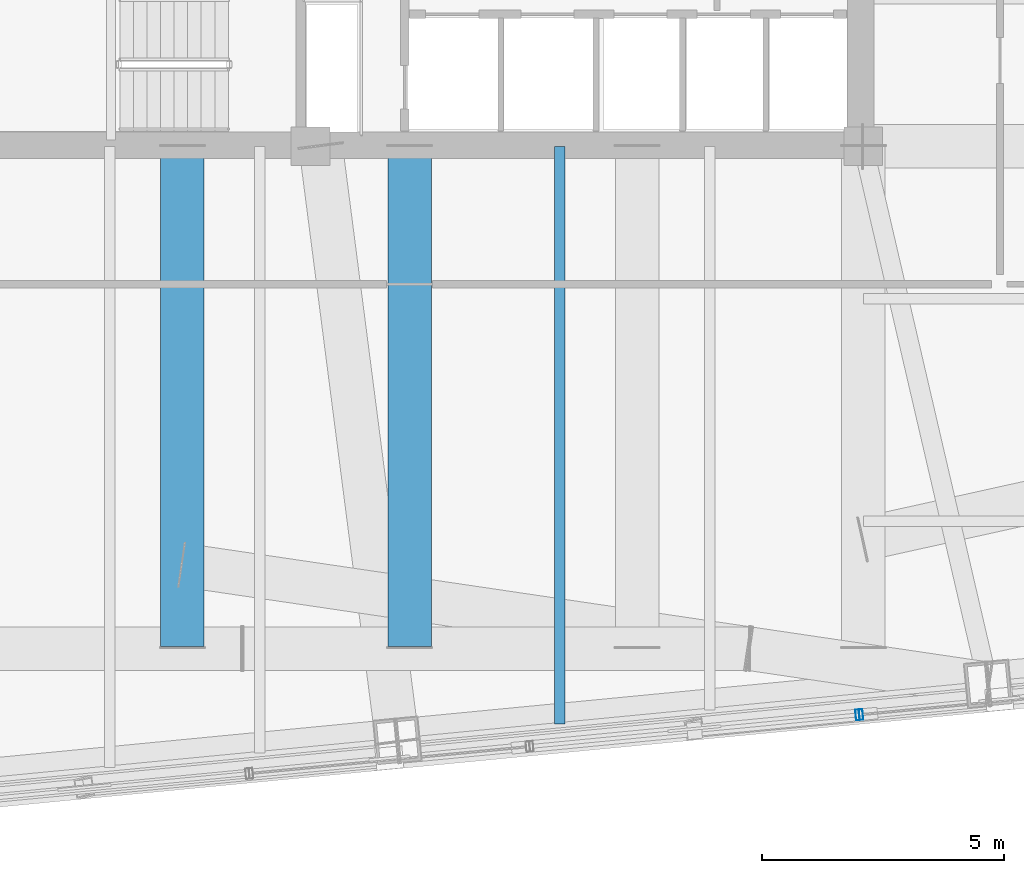
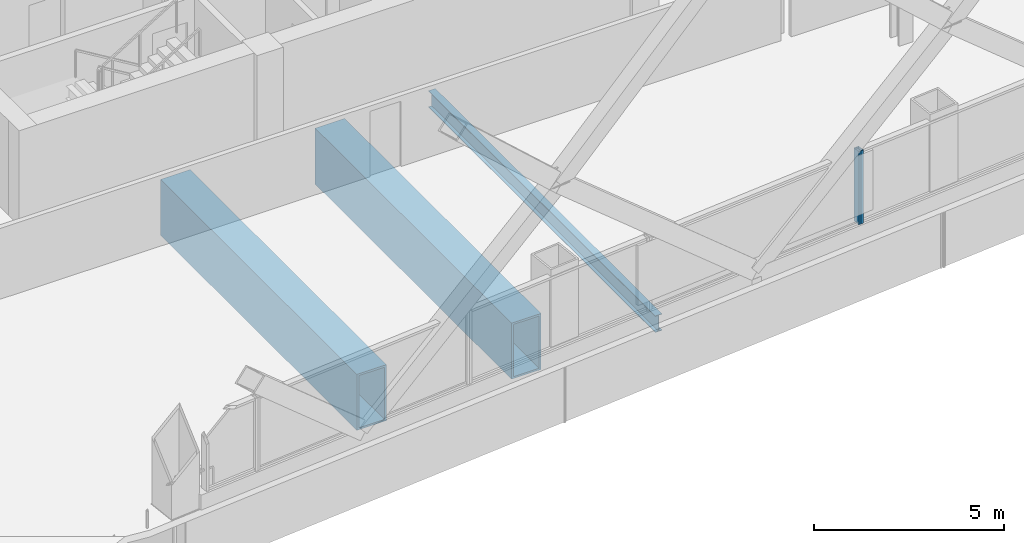
# One storey, part 10 of 42: 3 beams, 2 members, 2 elements without a shape of their own.
"""IFC4 building model written with IfcOpenShell, lengths in metres."""

import ifcopenshell
import ifcopenshell.guid

model = None  # the IFC model being written
_history = None  # IfcOwnerHistory: only IFC2X3 demands one
_inside = {}  # id of a spatial element -> (the spatial element, [elements in it])
_under = {}  # id of a project, library or spatial element -> (it, [spatial elements below it])
_declared = {}  # id of a project -> (the project, [libraries it declares])
_typed = {}  # id of a type object -> (the type object, [elements of that type])
_made_of = {}  # id of a material, layer set ... -> (it, [elements and type objects made of it])


def new_model(schema):
    """Start an empty IFC model of exactly this schema.

    Asked for "IFC4X3", IfcOpenShell would pick the latest addendum, in which some entities
    have other attributes; the version numbers below select the first issue.
    IFC2X3 requires an IfcOwnerHistory on every rooted entity: one is made here for all.
    """
    global model, _history
    if schema == "IFC4X3":
        model = ifcopenshell.file(schema_version=(4, 3, 0, 0))
    else:
        model = ifcopenshell.file(schema=schema)
    _inside.clear()
    _under.clear()
    _declared.clear()
    _typed.clear()
    _made_of.clear()
    _history = None
    if model.schema == "IFC2X3":
        org = make("IfcOrganization", Name="unknown")
        user = make(
            "IfcPersonAndOrganization",
            ThePerson=make("IfcPerson", FamilyName="unknown"),
            TheOrganization=org,
        )
        app = make(
            "IfcApplication",
            ApplicationDeveloper=org,
            Version="unknown",
            ApplicationFullName="unknown",
            ApplicationIdentifier="unknown",
        )
        _history = make(
            "IfcOwnerHistory",
            OwningUser=user,
            OwningApplication=app,
            ChangeAction="ADDED",
            CreationDate=0,
        )
    return model


def make(cls, **values):
    """One entity of the class cls with the attributes given. An attribute that is None is left unset."""
    return model.create_entity(
        cls, **{name: value for name, value in values.items() if value is not None}
    )


def rooted(cls, **values):
    """An entity with a GlobalId (a new one), such as an element, a storey or a relation."""
    return make(cls, GlobalId=ifcopenshell.guid.new(), OwnerHistory=_history, **values)


def si_unit(unit_type, name, prefix=None):
    """IfcSIUnit, for example si_unit("LENGTHUNIT", "METRE", prefix="MILLI")."""
    return make("IfcSIUnit", UnitType=unit_type, Prefix=prefix, Name=name)


def assignment(units):
    """IfcUnitAssignment: the units of a project."""
    return None if units is None else make("IfcUnitAssignment", Units=units)


def point(xyz):
    """IfcCartesianPoint."""
    return None if xyz is None else make("IfcCartesianPoint", Coordinates=xyz)


def direction(xyz):
    """IfcDirection."""
    return None if xyz is None else make("IfcDirection", DirectionRatios=xyz)


def frame(location, z_axis=None, x_axis=None):
    """IfcAxis2Placement3D, a coordinate frame: its origin and axes. An axis left out is left unset."""
    return make(
        "IfcAxis2Placement3D",
        Location=point(location),
        Axis=direction(z_axis),
        RefDirection=direction(x_axis),
    )


def frame_2d(location, x_axis=None):
    """IfcAxis2Placement2D, a coordinate frame in the plane: its origin and x axis."""
    return make(
        "IfcAxis2Placement2D", Location=point(location), RefDirection=direction(x_axis)
    )


def origin():
    """The frame at (0, 0, 0) with its axes left unset."""
    return frame((0.0, 0.0, 0.0))


def origin_2d():
    """The frame at (0, 0) in the plane with its x axis left unset."""
    return frame_2d((0.0, 0.0))


def place(relative_to, where):
    """IfcLocalPlacement: puts the frame where relative to a parent placement (None: the world)."""
    return make(
        "IfcLocalPlacement", PlacementRelTo=relative_to, RelativePlacement=where
    )


def context(
    kind, dimensions, precision=None, world=None, true_north=None, identifier=None
):
    """IfcGeometricRepresentationContext, for example the 3D "Model" context."""
    return make(
        "IfcGeometricRepresentationContext",
        ContextIdentifier=identifier,
        ContextType=kind,
        CoordinateSpaceDimension=dimensions,
        Precision=precision,
        WorldCoordinateSystem=world,
        TrueNorth=true_north,
    )


def subcontext(parent, identifier, kind, view, scale=None):
    """IfcGeometricRepresentationSubContext, for example "Body" below "Model"."""
    return make(
        "IfcGeometricRepresentationSubContext",
        ContextIdentifier=identifier,
        ContextType=kind,
        ParentContext=parent,
        TargetScale=scale,
        TargetView=view,
    )


def project(units=None, contexts=None):
    """IfcProject with its units and contexts."""
    return rooted(
        "IfcProject",
        Name="project",
        RepresentationContexts=contexts,
        UnitsInContext=assignment(units),
    )


def spatial(cls, under=None, at=None, **own):
    """A site, building, storey or space (cls), placed at a placement, below another one or the project."""
    s = rooted(cls, ObjectPlacement=at, **own)
    if under is not None:
        _under.setdefault(under.id(), (under, []))[1].append(s)
    return s


def profile(cls, at=None, kind="AREA", **sizes):
    """A parametric profile (cls). Its sizes go by their IFC names, for example OverallWidth=200.0."""
    return make(cls, ProfileType=kind, Position=at, **sizes)


def hollow_rectangle(**sizes):
    """IfcRectangleHollowProfileDef."""
    return profile("IfcRectangleHollowProfileDef", **sizes)


def i_section(**sizes):
    """IfcIShapeProfileDef."""
    return profile("IfcIShapeProfileDef", **sizes)


def extrude(swept, where, along, depth):
    """IfcExtrudedAreaSolid: the profile swept, set in the frame where, extruded along a direction by depth."""
    return make(
        "IfcExtrudedAreaSolid",
        SweptArea=swept,
        Position=where,
        ExtrudedDirection=direction(along),
        Depth=depth,
    )


def shape(context_of_items, identifier, shape_type, items):
    """IfcShapeRepresentation: the items that make up one representation, for example the "Body"."""
    return make(
        "IfcShapeRepresentation",
        ContextOfItems=context_of_items,
        RepresentationIdentifier=identifier,
        RepresentationType=shape_type,
        Items=items,
    )


def material(Name=None, Category=None):
    """IfcMaterial."""
    return make("IfcMaterial", Name=Name, Category=Category)


def layer(
    of_material, thickness, ventilated=None, Name=None, Category=None, Priority=None
):
    """IfcMaterialLayer: one layer of a wall or slab, of a material (None: an air gap)."""
    return make(
        "IfcMaterialLayer",
        Material=of_material,
        LayerThickness=thickness,
        IsVentilated=ventilated,
        Name=Name,
        Category=Category,
        Priority=Priority,
    )


def layer_set(layers, Name=None):
    """IfcMaterialLayerSet."""
    return make("IfcMaterialLayerSet", MaterialLayers=layers, LayerSetName=Name)


def material_profile(
    of_material, cross_section, Name=None, Category=None, Priority=None
):
    """IfcMaterialProfile: a cross section and its material."""
    return make(
        "IfcMaterialProfile",
        Name=Name,
        Material=of_material,
        Profile=cross_section,
        Priority=Priority,
        Category=Category,
    )


def profile_set(profiles, Name=None, composite=None):
    """IfcMaterialProfileSet."""
    return make(
        "IfcMaterialProfileSet",
        Name=Name,
        MaterialProfiles=profiles,
        CompositeProfile=composite,
    )


def made_of(thing, what):
    """Note that an element or type object is made of a material, layer set ...; save() writes the relation."""
    if what is not None:
        _made_of.setdefault(what.id(), (what, []))[1].append(thing)
    return thing


def type_object(cls, material=None, **own):
    """A type object (cls), such as IfcWallType, which elements share."""
    return made_of(rooted(cls, **own), material)


def element(
    cls,
    number,
    at=None,
    inside=None,
    cuts=None,
    type_object=None,
    material=None,
    context=None,
    identifier="Body",
    shape_type=None,
    held_by="IfcProductDefinitionShape",
    body=None,
    shapes=None,
    **own,
):
    """One element of the class cls, such as IfcWall. Its Tag is "e" and its number.

    at: its placement. inside: the storey or other place that contains it. cuts: it is an
    opening in that element (IfcRelVoidsElement). A single representation is given by context,
    identifier, shape_type and body (its items); several are given by shapes. held_by: the class
    of the entity that holds the representations. save() writes the other relations.
    """
    e = rooted(cls, Tag="e%d" % number, ObjectPlacement=at, **own)
    if body is not None:
        shapes = [shape(context, identifier, shape_type, body)]
    if shapes is not None:
        e.Representation = make(held_by, Representations=shapes)
    if inside is not None:
        _inside.setdefault(inside.id(), (inside, []))[1].append(e)
    if cuts is not None:
        rooted(
            "IfcRelVoidsElement", RelatingBuildingElement=cuts, RelatedOpeningElement=e
        )
    if type_object is not None:
        _typed.setdefault(type_object.id(), (type_object, []))[1].append(e)
    return made_of(e, material)


def aggregate(whole, parts):
    """IfcRelAggregates: a whole, such as a stair, and the parts it consists of."""
    return rooted("IfcRelAggregates", RelatingObject=whole, RelatedObjects=parts)


def save(model, path):
    """Write the relations noted so far, then the file.

    IfcRelAggregates (storeys below a building ...), IfcRelContainedInSpatialStructure (elements
    in a storey), IfcRelDefinesByType, IfcRelAssociatesMaterial and IfcRelDeclares: one each for
    every whole, place, type object, material and project.
    """
    for whole, parts in _under.values():
        aggregate(whole, parts)
    for where, things in _inside.values():
        rooted(
            "IfcRelContainedInSpatialStructure",
            RelatedElements=things,
            RelatingStructure=where,
        )
    for kind, things in _typed.values():
        rooted("IfcRelDefinesByType", RelatedObjects=things, RelatingType=kind)
    for what, things in _made_of.values():
        rooted("IfcRelAssociatesMaterial", RelatedObjects=things, RelatingMaterial=what)
    for by, libraries in _declared.values():
        rooted("IfcRelDeclares", RelatingContext=by, RelatedDefinitions=libraries)
    model.write(path)


model = new_model("IFC4")

# Units and contexts
model_context = context("Model", 3, precision=1e-05, world=origin(), true_north=direction((0.0, 1.0)))
body_context = subcontext(model_context, "Body", "Model", "MODEL_VIEW")
ifc_project = project(units=[si_unit("LENGTHUNIT", "METRE"), si_unit("AREAUNIT", "SQUARE_METRE"), si_unit("VOLUMEUNIT", "CUBIC_METRE"), si_unit("PLANEANGLEUNIT", "RADIAN"), si_unit("MASSUNIT", "GRAM", prefix="KILO")], contexts=[model_context])

# Site, building, storey
site_placement = place(None, origin())
site = spatial("IfcSite", under=ifc_project, at=site_placement, CompositionType="ELEMENT")
building_placement = place(site_placement, origin())
building = spatial("IfcBuilding", under=site, at=building_placement, Name="Qhalaya Broadcast Tower", CompositionType="ELEMENT")
storey_placement = place(building_placement, frame((0.0, 0.0, 69.449951171875)))
storey = spatial("IfcBuildingStorey", under=building, at=storey_placement, Name="L19", CompositionType="ELEMENT", Elevation=69.449951171875)

# Beams
ifc_material_1 = material(Name="Structural Steel ASTM A572 Grade 50", Category="steel")
ifc_material_profile_1 = material_profile(ifc_material_1, hollow_rectangle(XDim=0.89990234375, YDim=1.800048828125, WallThickness=0.06005859375, at=origin_2d()), Name="BOX 900x1800x60")
ifc_profile_set_1 = profile_set([ifc_material_profile_1], Name="Structural Steel ASTM A572 Grade 50")
beam_type_1 = type_object("IfcBeamType", Name="Block Cantilever Transfer Box Girder TG1", PredefinedType="USERDEFINED", material=ifc_profile_set_1)
for number, where, z_axis, x_axis, name in (
    (1, (0.0, -19.090087890625, -1.119873046875), (0.0, 1.0, 0.0), (-1.0, 0.0, 0.0), "L19 TG1 L19-TGIMS-1"),
    (2, (-4.699951171875, -19.090087890625, -1.119873046875), (0.0, 1.0, 0.0), (-1.0, 0.0, 0.0), "L19 TG1 L19-TGIMSW-1"),
):
    element("IfcBeam", number, at=place(storey_placement, frame(where, z_axis=z_axis, x_axis=x_axis)), inside=storey, type_object=beam_type_1, Name=name, ObjectType="GIRDER", PredefinedType="USERDEFINED", context=body_context, shape_type="SweptSolid", body=[
        extrude(hollow_rectangle(XDim=0.89990234375, YDim=1.800048828125, WallThickness=0.06005859375, at=origin_2d()), origin(), (0.0, 0.0, 1.0), 10.340087890625),
    ])
ifc_material_2 = material(Name="Structural Steel ASTM A992 Grade 50", Category="steel")
ifc_material_profile_2 = material_profile(ifc_material_2, i_section(OverallWidth=0.2099609375, OverallDepth=0.535888671875, WebThickness=0.010986328125, FlangeThickness=0.017333984375, at=origin_2d()), Name="W21X68")
ifc_profile_set_2 = profile_set([ifc_material_profile_2], Name="Structural Steel ASTM A992 Grade 50")
beam_type_2 = type_object("IfcBeamType", Name="Composite Floor Joist J02", PredefinedType="JOIST", material=ifc_profile_set_2)
beam_placement = place(storey_placement, frame((3.10009765625, -20.693603515625, -0.488037109375), z_axis=(0.0, 1.0, 0.0), x_axis=(-1.0, 0.0, 0.0)))
element("IfcBeam", 3, at=beam_placement, inside=storey, type_object=beam_type_2, Name="L19 J02 L19-JNS4-1", PredefinedType="JOIST", context=body_context, shape_type="SweptSolid", body=[
    extrude(i_section(OverallWidth=0.2099609375, OverallDepth=0.535888671875, WebThickness=0.010986328125, FlangeThickness=0.017333984375, at=origin_2d()), origin(), (0.0, 0.0, 1.0), 11.943603515625),
])

# Curtain wall, member
ifc_material_3 = material(Name="Fired Architectural Terracotta", Category="masonry")
ifc_layer_1 = layer(ifc_material_3, 0.219970703125, Name="Fired Architectural Terracotta")
ifc_layer_set_1 = layer_set([ifc_layer_1], Name="Fired Architectural Terracotta")
curtain_wall_type_1 = type_object("IfcCurtainWallType", Name="Block-Cap Unitised Terracotta Spandrel Wall CW-07", PredefinedType="NOTDEFINED", material=ifc_layer_set_1)
curtain_wall_1_placement = place(storey_placement, origin())
curtain_wall_1 = element("IfcCurtainWall", 4, at=curtain_wall_1_placement, inside=storey, type_object=curtain_wall_type_1, Name="L19 Unitised Curtain Wall L19-CW-S4", PredefinedType="NOTDEFINED")
ifc_material_4 = material(Name="Anodised Aluminium 6063-T6", Category="aluminium")
ifc_material_profile_3 = material_profile(ifc_material_4, hollow_rectangle(XDim=0.074951171875, YDim=0.219970703125, WallThickness=0.00390625, at=origin_2d()), Name="ALU-MUL 75x220x4")
ifc_profile_set_3 = profile_set([ifc_material_profile_3], Name="Anodised Aluminium 6063-T6")
member_type = type_object("IfcMemberType", Name="Unitised Curtain-Wall Mullion M01", PredefinedType="MULLION", material=ifc_profile_set_3)
member_1_placement = place(storey_placement, frame((9.255126953125, -20.5029296875, 0.47998046875), z_axis=(0.0, 0.0, 1.0), x_axis=(0.995395768185, 0.095850220023, 0.0)))
member_1 = element("IfcMember", 5, at=member_1_placement, type_object=member_type, Name="CW-07 mullion 2", PredefinedType="MULLION", context=body_context, shape_type="SweptSolid", body=[
    extrude(hollow_rectangle(XDim=0.074951171875, YDim=0.219970703125, WallThickness=0.00390625, at=origin_2d()), origin(), (0.0, 0.0, 1.0), 2.35009765625),
])
aggregate(curtain_wall_1, [member_1])

ifc_material_5 = material(Name="Solar-Control Low-E Triple Glazing", Category="glass")
ifc_layer_2 = layer(ifc_material_5, 0.219970703125, Name="Solar-Control Low-E Triple Glazing")
ifc_layer_set_2 = layer_set([ifc_layer_2], Name="Solar-Control Low-E Triple Glazing")
curtain_wall_type_2 = type_object("IfcCurtainWallType", Name="Even-Block 4-Storey Double-Module Curtain Wall CW-03", PredefinedType="NOTDEFINED", material=ifc_layer_set_2)
curtain_wall_2_placement = place(storey_placement, origin())
curtain_wall_2 = element("IfcCurtainWall", 6, at=curtain_wall_2_placement, inside=storey, type_object=curtain_wall_type_2, Name="L19 Unitised Curtain Wall L19-CW-S5", PredefinedType="NOTDEFINED")
member_2_placement = place(storey_placement, frame((9.329833984375, -20.49560546875, 0.47998046875), z_axis=(0.0, 0.0, 1.0), x_axis=(0.995396371729, 0.095843952075, 0.0)))
member_2 = element("IfcMember", 7, at=member_2_placement, type_object=member_type, Name="CW-03 mullion 1", PredefinedType="MULLION", context=body_context, shape_type="SweptSolid", body=[
    extrude(hollow_rectangle(XDim=0.074951171875, YDim=0.219970703125, WallThickness=0.00390625, at=origin_2d()), origin(), (0.0, 0.0, 1.0), 2.35009765625),
])
aggregate(curtain_wall_2, [member_2])

save(model, "model.ifc")
